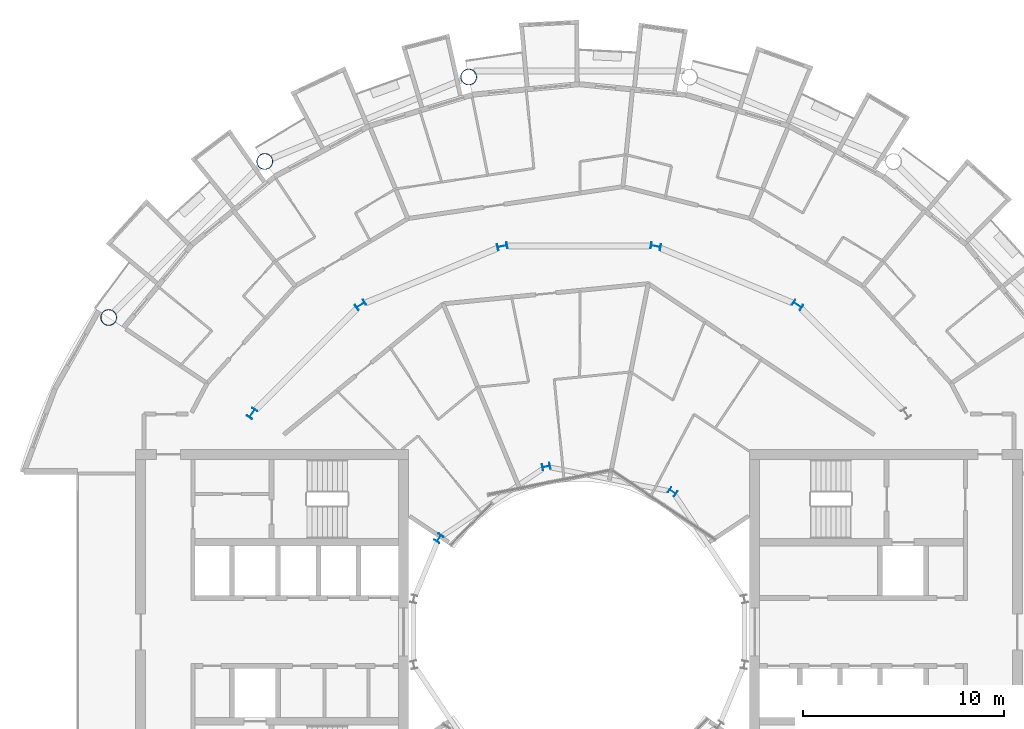
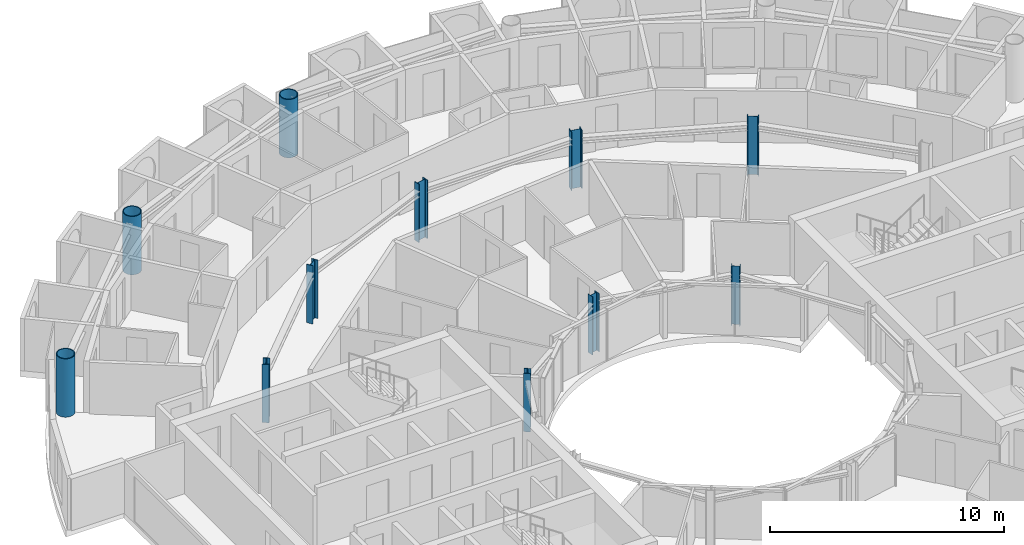
# One storey, part 3 of 27: 11 columns.
"""IFC4 building model written with IfcOpenShell, lengths in metres."""

from ifc_helpers import new_model, si_unit, direction, frame, origin, origin_2d, place, context, subcontext, project, spatial, hollow_circle, i_section, extrude, material, material_profile, profile_set, type_object, element, save


model = new_model("IFC4")

# Units and contexts
model_context = context("Model", 3, precision=1e-05, world=origin(), true_north=direction((0.0, 1.0)))
body_context = subcontext(model_context, "Body", "Model", "MODEL_VIEW")
ifc_project = project(units=[si_unit("LENGTHUNIT", "METRE"), si_unit("AREAUNIT", "SQUARE_METRE"), si_unit("VOLUMEUNIT", "CUBIC_METRE"), si_unit("PLANEANGLEUNIT", "RADIAN"), si_unit("MASSUNIT", "GRAM", prefix="KILO")], contexts=[model_context])

# Site, building, storey
site_placement = place(None, origin())
site = spatial("IfcSite", under=ifc_project, at=site_placement, CompositionType="ELEMENT")
building_placement = place(site_placement, origin())
building = spatial("IfcBuilding", under=site, at=building_placement, Name="Maasbend Ring Residences", CompositionType="ELEMENT")
storey_placement = place(building_placement, frame((0.0, 0.0, 148.25)))
storey = spatial("IfcBuildingStorey", under=building, at=storey_placement, Name="L42", CompositionType="ELEMENT", Elevation=148.25)

# Columns
ifc_material_1 = material(Name="Composite concrete-filled steel tube S460NH / C80/95", Category="concrete")
ifc_material_profile_1 = material_profile(ifc_material_1, hollow_circle(Radius=0.406494140625, WallThickness=0.0400390625, at=origin_2d()), Name="Composite tube column CHS 813x40")
ifc_profile_set_1 = profile_set([ifc_material_profile_1], Name="Composite concrete-filled steel tube S460NH / C80/95")
column_type_1 = type_object("IfcColumnType", Name="Composite tube column CHS 813x40", PredefinedType="COLUMN", material=ifc_profile_set_1)
for number, where, z_axis, x_axis, name in (
    (1, (-5.50146484375, 27.658203125, 0.0), (0.0, 0.0, 1.0), (1.0, 0.0, 0.0), "Outer column R5"),
    (2, (-15.6669921875, 23.447509765625, 0.0), (0.0, 0.0, 1.0), (1.0, 0.0, 0.0), "Outer column R6"),
    (3, (-23.447509765625, 15.6669921875, 0.0), (0.0, 0.0, 1.0), (1.0, 0.0, 0.0), "Outer column R7"),
):
    element("IfcColumn", number, at=place(storey_placement, frame(where, z_axis=z_axis, x_axis=x_axis)), inside=storey, type_object=column_type_1, Name=name, PredefinedType="COLUMN", context=body_context, shape_type="SweptSolid", body=[
        extrude(hollow_circle(Radius=0.406494140625, WallThickness=0.0400390625, at=origin_2d()), origin(), (0.0, 0.0, 1.0), 3.050048828125),
    ])
ifc_material_2 = material(Name="Steel S355J2", Category="steel")
ifc_material_profile_2 = material_profile(ifc_material_2, i_section(OverallWidth=0.300048828125, OverallDepth=0.389892578125, WebThickness=0.010986328125, FlangeThickness=0.01904296875, FilletRadius=0.027099609375, at=origin_2d()), Name="HEA 400")
ifc_profile_set_2 = profile_set([ifc_material_profile_2], Name="Steel S355J2")
column_type_2 = type_object("IfcColumnType", Name="Steel column HEA 400", PredefinedType="COLUMN", material=ifc_profile_set_2)
for number, where, z_axis, x_axis, name in (
    (4, (4.666748046875, 6.984375, 0.0), (0.0, 0.0, 1.0), (0.55557023302, 0.831469612303, 0.0), "Well ring column R3"),
    (5, (-1.638916015625, 8.238525390625, 0.0), (0.0, 0.0, 1.0), (-0.195090322016, 0.980785280403, 0.0), "Well ring column R5"),
    (6, (-6.984375, 4.666748046875, 0.0), (0.0, 0.0, 1.0), (-0.831469612303, 0.55557023302, 0.0), "Well ring column R7"),
):
    element("IfcColumn", number, at=place(storey_placement, frame(where, z_axis=z_axis, x_axis=x_axis)), inside=storey, type_object=column_type_2, Name=name, PredefinedType="COLUMN", context=body_context, shape_type="SweptSolid", body=[
        extrude(i_section(OverallWidth=0.300048828125, OverallDepth=0.389892578125, WebThickness=0.010986328125, FlangeThickness=0.01904296875, FilletRadius=0.027099609375, at=origin_2d()), origin(), (0.0, 0.0, 1.0), 3.050048828125),
    ])
ifc_material_3 = material(Name="Steel S355J2", Category="steel")
ifc_material_profile_3 = material_profile(ifc_material_3, i_section(OverallWidth=0.300048828125, OverallDepth=0.5, WebThickness=0.014404296875, FlangeThickness=0.028076171875, FilletRadius=0.027099609375, at=origin_2d()), Name="HEB 500")
ifc_profile_set_3 = profile_set([ifc_material_profile_3], Name="Steel S355J2")
column_type_3 = type_object("IfcColumnType", Name="Steel column HEB 500", PredefinedType="COLUMN", material=ifc_profile_set_3)
for number, where, z_axis, x_axis, name in (
    (7, (10.88916015625, 16.296875, 0.0), (0.0, 0.0, 1.0), (0.55557023302, 0.831469612303, 0.0), "Corridor ring column R3"),
    (8, (3.82373046875, 19.223388671875, 0.0), (0.0, 0.0, 1.0), (0.195090322016, 0.980785280403, 0.0), "Corridor ring column R4"),
    (9, (-3.82373046875, 19.223388671875, 0.0), (0.0, 0.0, 1.0), (-0.195090322016, 0.980785280403, 0.0), "Corridor ring column R5"),
    (10, (-10.88916015625, 16.296875, 0.0), (0.0, 0.0, 1.0), (-0.55557023302, 0.831469612303, 0.0), "Corridor ring column R6"),
    (11, (-16.296875, 10.88916015625, 0.0), (0.0, 0.0, 1.0), (-0.831469612303, 0.55557023302, 0.0), "Corridor ring column R7"),
):
    element("IfcColumn", number, at=place(storey_placement, frame(where, z_axis=z_axis, x_axis=x_axis)), inside=storey, type_object=column_type_3, Name=name, PredefinedType="COLUMN", context=body_context, shape_type="SweptSolid", body=[
        extrude(i_section(OverallWidth=0.300048828125, OverallDepth=0.5, WebThickness=0.014404296875, FlangeThickness=0.028076171875, FilletRadius=0.027099609375, at=origin_2d()), origin(), (0.0, 0.0, 1.0), 3.050048828125),
    ])

save(model, "model.ifc")
